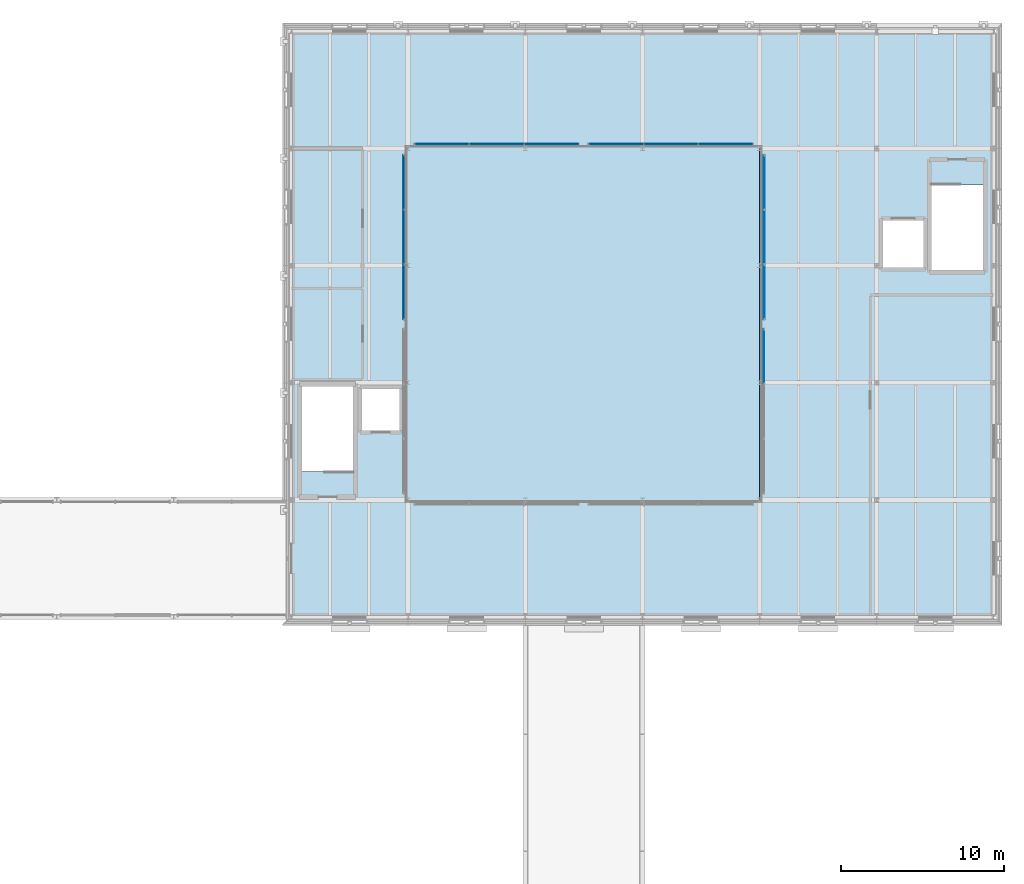
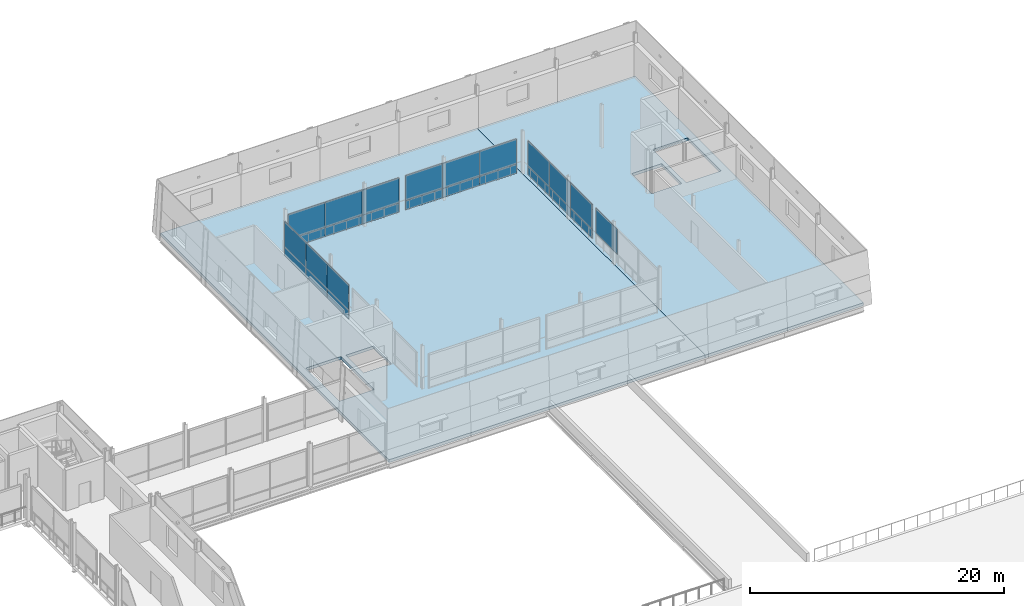
# One storey, part 59 of 115: 25 plates, 2 slabs, 5 elements without a shape of their own.
"""IFC4 building model written with IfcOpenShell, lengths in metres."""

from ifc_helpers import new_model, si_unit, direction, frame, origin, origin_2d, place, context, subcontext, project, spatial, polyline, rectangle, outline, extrude, material, layer, layer_set, type_object, element, aggregate, save


model = new_model("IFC4")

# Units and contexts
model_context = context("Model", 3, precision=1e-05, world=origin(), true_north=direction((0.0, 1.0)))
body_context = subcontext(model_context, "Body", "Model", "MODEL_VIEW")
ifc_project = project(units=[si_unit("LENGTHUNIT", "METRE"), si_unit("AREAUNIT", "SQUARE_METRE"), si_unit("VOLUMEUNIT", "CUBIC_METRE"), si_unit("PLANEANGLEUNIT", "RADIAN"), si_unit("MASSUNIT", "GRAM", prefix="KILO")], contexts=[model_context])

# Site, building, storey
site_placement = place(None, origin())
site = spatial("IfcSite", under=ifc_project, at=site_placement, CompositionType="ELEMENT")
building_placement = place(site_placement, origin())
building = spatial("IfcBuilding", under=site, at=building_placement, Name="Narikvali Park Central Library", CompositionType="ELEMENT")
storey_placement = place(building_placement, frame((0.0, 0.0, 10.199951171875)))
storey = spatial("IfcBuildingStorey", under=building, at=storey_placement, Name="L02", CompositionType="ELEMENT", Elevation=10.199951171875)

# Slabs
ifc_material_1 = material(Name="Concrete C35/45", Category="concrete")
ifc_layer_1 = layer(ifc_material_1, 0.280029296875, Name="Concrete C35/45")
ifc_layer_set_1 = layer_set([ifc_layer_1], Name="Concrete C35/45")
slab_type = type_object("IfcSlabType", Name="Composite Reading Floor Slab 280", PredefinedType="FLOOR", material=ifc_layer_set_1)
slab_1_placement = place(storey_placement, frame((0.0, 0.0, -0.280029296875)))
element("IfcSlab", 1, at=slab_1_placement, inside=storey, type_object=slab_type, Name="V3 L02 Structural Slab Panel 1", PredefinedType="FLOOR", context=body_context, shape_type="SweptSolid", body=[
    extrude(outline(polyline([(122.39990234375, 79.199951171875), (151.199951171875, 79.199951171875), (151.199951171875, 115.199951171875), (122.39990234375, 115.199951171875), (122.39990234375, 79.199951171875)]), holes=[polyline([(123.050048828125, 88.14990234375), (126.25, 88.14990234375), (126.25, 93.39990234375), (123.050048828125, 93.39990234375), (123.050048828125, 88.14990234375)]), polyline([(126.64990234375, 90.550048828125), (129.199951171875, 90.550048828125), (129.199951171875, 93.35009765625), (126.64990234375, 93.35009765625), (126.64990234375, 90.550048828125)])]), origin(), (0.0, 0.0, 1.0), 0.280029296875),
])
slab_2_placement = place(storey_placement, frame((0.0, 0.0, -0.280029296875)))
element("IfcSlab", 2, at=slab_2_placement, inside=storey, type_object=slab_type, Name="V3 L02 Structural Slab Panel 2", PredefinedType="FLOOR", context=body_context, shape_type="SweptSolid", body=[
    extrude(outline(polyline([(151.199951171875, 79.199951171875), (165.60009765625, 79.199951171875), (165.60009765625, 115.199951171875), (151.199951171875, 115.199951171875), (151.199951171875, 79.199951171875)]), holes=[polyline([(161.75, 100.5), (164.949951171875, 100.5), (164.949951171875, 105.75), (161.75, 105.75), (161.75, 100.5)]), polyline([(158.64990234375, 100.550048828125), (161.39990234375, 100.550048828125), (161.39990234375, 103.699951171875), (158.64990234375, 103.699951171875), (158.64990234375, 100.550048828125)])]), origin(), (0.0, 0.0, 1.0), 0.280029296875),
])

# Curtain wall, plates
ifc_material_2 = material(Name="Anodised Bronze Aluminium", Category="aluminium")
ifc_layer_2 = layer(ifc_material_2, 0.219970703125, Name="Anodised Bronze Aluminium")
ifc_layer_set_2 = layer_set([ifc_layer_2], Name="Anodised Bronze Aluminium")
curtain_wall_type = type_object("IfcCurtainWallType", Name="Atrium Tall Curtain Wall System", PredefinedType="NOTDEFINED", material=ifc_layer_set_2)
curtain_wall_1_placement = place(storey_placement, origin())
curtain_wall_1 = element("IfcCurtainWall", 3, at=curtain_wall_1_placement, inside=storey, type_object=curtain_wall_type, Name="Atrium Tall Curtain Wall System CW-INT-V3-L02-W2", PredefinedType="NOTDEFINED")
ifc_material_3 = material(Name="Heavy Acoustic Laminated Clerestory Glazing", Category="glass")
ifc_layer_3 = layer(ifc_material_3, 0.06396484375, Name="Heavy Acoustic Laminated Clerestory Glazing")
ifc_layer_set_3 = layer_set([ifc_layer_3], Name="Heavy Acoustic Laminated Clerestory Glazing")
plate_type_1 = type_object("IfcPlateType", Name="Curtain Wall Clerestory Laminated Acoustic Glass 64", PredefinedType="CURTAIN_PANEL", material=ifc_layer_set_3)
plate_1_placement = place(storey_placement, frame((129.320068359375, 99.183349609375, 0.905029296875), z_axis=(0.0, 0.0, 1.0), x_axis=(0.0, 1.0, 0.0)))
plate_1 = element("IfcPlate", 4, at=plate_1_placement, type_object=plate_type_1, Name="CW-INT-V3-L02-W2 Panel 00-1", PredefinedType="CURTAIN_PANEL", context=body_context, shape_type="SweptSolid", body=[
    extrude(rectangle(XDim=3.356689453125, YDim=0.06396484375, at=origin_2d()), origin(), (0.0, 0.0, 1.0), 2.39990234375),
])
plate_2_placement = place(storey_placement, frame((129.320068359375, 102.550048828125, 0.905029296875), z_axis=(0.0, 0.0, 1.0), x_axis=(0.0, 1.0, 0.0)))
plate_2 = element("IfcPlate", 5, at=plate_2_placement, type_object=plate_type_1, Name="CW-INT-V3-L02-W2 Panel 01-1", PredefinedType="CURTAIN_PANEL", context=body_context, shape_type="SweptSolid", body=[
    extrude(rectangle(XDim=3.356689453125, YDim=0.06396484375, at=origin_2d()), origin(), (0.0, 0.0, 1.0), 2.39990234375),
])
plate_3_placement = place(storey_placement, frame((129.320068359375, 105.916748046875, 0.905029296875), z_axis=(0.0, 0.0, 1.0), x_axis=(0.0, 1.0, 0.0)))
plate_3 = element("IfcPlate", 6, at=plate_3_placement, type_object=plate_type_1, Name="CW-INT-V3-L02-W2 Panel 02-1", PredefinedType="CURTAIN_PANEL", context=body_context, shape_type="SweptSolid", body=[
    extrude(rectangle(XDim=3.356689453125, YDim=0.06396484375, at=origin_2d()), origin(), (0.0, 0.0, 1.0), 2.39990234375),
])

curtain_wall_2_placement = place(storey_placement, origin())
curtain_wall_2 = element("IfcCurtainWall", 7, at=curtain_wall_2_placement, inside=storey, type_object=curtain_wall_type, Name="Atrium Tall Curtain Wall System CW-INT-V3-L02-N1", PredefinedType="NOTDEFINED")
plate_4_placement = place(storey_placement, frame((131.683349609375, 108.280029296875, 0.905029296875), z_axis=(0.0, 0.0, 1.0), x_axis=(1.0, 0.0, 0.0)))
plate_4 = element("IfcPlate", 8, at=plate_4_placement, type_object=plate_type_1, Name="CW-INT-V3-L02-N1 Panel 00-1", PredefinedType="CURTAIN_PANEL", context=body_context, shape_type="SweptSolid", body=[
    extrude(rectangle(XDim=3.356689453125, YDim=0.06396484375, at=origin_2d()), origin(), (0.0, 0.0, 1.0), 2.39990234375),
])
plate_5_placement = place(storey_placement, frame((135.050048828125, 108.280029296875, 0.905029296875), z_axis=(0.0, 0.0, 1.0), x_axis=(1.0, 0.0, 0.0)))
plate_5 = element("IfcPlate", 9, at=plate_5_placement, type_object=plate_type_1, Name="CW-INT-V3-L02-N1 Panel 01-1", PredefinedType="CURTAIN_PANEL", context=body_context, shape_type="SweptSolid", body=[
    extrude(rectangle(XDim=3.356689453125, YDim=0.06396484375, at=origin_2d()), origin(), (0.0, 0.0, 1.0), 2.39990234375),
])
plate_6_placement = place(storey_placement, frame((138.416748046875, 108.280029296875, 0.905029296875), z_axis=(0.0, 0.0, 1.0), x_axis=(1.0, 0.0, 0.0)))
plate_6 = element("IfcPlate", 10, at=plate_6_placement, type_object=plate_type_1, Name="CW-INT-V3-L02-N1 Panel 02-1", PredefinedType="CURTAIN_PANEL", context=body_context, shape_type="SweptSolid", body=[
    extrude(rectangle(XDim=3.356689453125, YDim=0.06396484375, at=origin_2d()), origin(), (0.0, 0.0, 1.0), 2.39990234375),
])

curtain_wall_3_placement = place(storey_placement, origin())
curtain_wall_3 = element("IfcCurtainWall", 11, at=curtain_wall_3_placement, inside=storey, type_object=curtain_wall_type, Name="Atrium Tall Curtain Wall System CW-INT-V3-L02-N2", PredefinedType="NOTDEFINED")
plate_7_placement = place(storey_placement, frame((142.38330078125, 108.280029296875, 0.03515625), z_axis=(0.0, 0.0, 1.0), x_axis=(1.0, 0.0, 0.0)))
plate_7 = element("IfcPlate", 12, at=plate_7_placement, type_object=plate_type_1, Name="CW-INT-V3-L02-N2 Panel 00-0", PredefinedType="CURTAIN_PANEL", context=body_context, shape_type="SweptSolid", body=[
    extrude(rectangle(XDim=3.356689453125, YDim=0.06396484375, at=origin_2d()), origin(), (0.0, 0.0, 1.0), 0.860107421875),
])
plate_8_placement = place(storey_placement, frame((145.75, 108.280029296875, 0.03515625), z_axis=(0.0, 0.0, 1.0), x_axis=(1.0, 0.0, 0.0)))
plate_8 = element("IfcPlate", 13, at=plate_8_placement, type_object=plate_type_1, Name="CW-INT-V3-L02-N2 Panel 01-0", PredefinedType="CURTAIN_PANEL", context=body_context, shape_type="SweptSolid", body=[
    extrude(rectangle(XDim=3.356689453125, YDim=0.06396484375, at=origin_2d()), origin(), (0.0, 0.0, 1.0), 0.860107421875),
])
plate_9_placement = place(storey_placement, frame((149.11669921875, 108.280029296875, 0.03515625), z_axis=(0.0, 0.0, 1.0), x_axis=(1.0, 0.0, 0.0)))
plate_9 = element("IfcPlate", 14, at=plate_9_placement, type_object=plate_type_1, Name="CW-INT-V3-L02-N2 Panel 02-0", PredefinedType="CURTAIN_PANEL", context=body_context, shape_type="SweptSolid", body=[
    extrude(rectangle(XDim=3.356689453125, YDim=0.06396484375, at=origin_2d()), origin(), (0.0, 0.0, 1.0), 0.860107421875),
])

# Curtain wall, plate
curtain_wall_4_placement = place(storey_placement, origin())
curtain_wall_4 = element("IfcCurtainWall", 15, at=curtain_wall_4_placement, inside=storey, type_object=curtain_wall_type, Name="Atrium Tall Curtain Wall System CW-INT-V3-L02-E1", PredefinedType="NOTDEFINED")
ifc_material_4 = material(Name="Double Low-E Tempered Vision Glazing", Category="glass")
ifc_layer_4 = layer(ifc_material_4, 0.035888671875, Name="Double Low-E Tempered Vision Glazing")
ifc_layer_set_4 = layer_set([ifc_layer_4], Name="Double Low-E Tempered Vision Glazing")
plate_type_2 = type_object("IfcPlateType", Name="Curtain Wall Double Low-E Vision Glazing 36", PredefinedType="CURTAIN_PANEL", material=ifc_layer_set_4)
plate_10_placement = place(storey_placement, frame((151.47998046875, 95.216796875, 0.905029296875), z_axis=(0.0, 0.0, 1.0), x_axis=(0.0, 1.0, 0.0)))
plate_10 = element("IfcPlate", 16, at=plate_10_placement, type_object=plate_type_2, Name="CW-INT-V3-L02-E1 Panel 02-1", PredefinedType="CURTAIN_PANEL", context=body_context, shape_type="SweptSolid", body=[
    extrude(rectangle(XDim=3.356689453125, YDim=0.035888671875, at=origin_2d()), origin(), (0.0, 0.0, 1.0), 2.39990234375),
])
aggregate(curtain_wall_4, [plate_10])

# Curtain wall, plates
curtain_wall_5_placement = place(storey_placement, origin())
curtain_wall_5 = element("IfcCurtainWall", 17, at=curtain_wall_5_placement, inside=storey, type_object=curtain_wall_type, Name="Atrium Tall Curtain Wall System CW-INT-V3-L02-E2", PredefinedType="NOTDEFINED")
plate_11_placement = place(storey_placement, frame((151.47998046875, 99.183349609375, 0.03515625), z_axis=(0.0, 0.0, 1.0), x_axis=(0.0, 1.0, 0.0)))
plate_11 = element("IfcPlate", 18, at=plate_11_placement, type_object=plate_type_2, Name="CW-INT-V3-L02-E2 Panel 00-0", PredefinedType="CURTAIN_PANEL", context=body_context, shape_type="SweptSolid", body=[
    extrude(rectangle(XDim=3.356689453125, YDim=0.035888671875, at=origin_2d()), origin(), (0.0, 0.0, 1.0), 0.860107421875),
])
plate_12_placement = place(storey_placement, frame((151.47998046875, 102.550048828125, 0.03515625), z_axis=(0.0, 0.0, 1.0), x_axis=(0.0, 1.0, 0.0)))
plate_12 = element("IfcPlate", 19, at=plate_12_placement, type_object=plate_type_2, Name="CW-INT-V3-L02-E2 Panel 01-0", PredefinedType="CURTAIN_PANEL", context=body_context, shape_type="SweptSolid", body=[
    extrude(rectangle(XDim=3.356689453125, YDim=0.035888671875, at=origin_2d()), origin(), (0.0, 0.0, 1.0), 0.860107421875),
])
plate_13_placement = place(storey_placement, frame((151.47998046875, 105.916748046875, 0.03515625), z_axis=(0.0, 0.0, 1.0), x_axis=(0.0, 1.0, 0.0)))
plate_13 = element("IfcPlate", 20, at=plate_13_placement, type_object=plate_type_2, Name="CW-INT-V3-L02-E2 Panel 02-0", PredefinedType="CURTAIN_PANEL", context=body_context, shape_type="SweptSolid", body=[
    extrude(rectangle(XDim=3.356689453125, YDim=0.035888671875, at=origin_2d()), origin(), (0.0, 0.0, 1.0), 0.860107421875),
])

# Plate
plate_14_placement = place(storey_placement, frame((142.38330078125, 108.280029296875, 0.905029296875), z_axis=(0.0, 0.0, 1.0), x_axis=(1.0, 0.0, 0.0)))
plate_14 = element("IfcPlate", 21, at=plate_14_placement, type_object=plate_type_2, Name="CW-INT-V3-L02-N2 Panel 00-1", PredefinedType="CURTAIN_PANEL", context=body_context, shape_type="SweptSolid", body=[
    extrude(rectangle(XDim=3.356689453125, YDim=0.035888671875, at=origin_2d()), origin(), (0.0, 0.0, 1.0), 2.39990234375),
])

plate_15_placement = place(storey_placement, frame((145.75, 108.280029296875, 0.905029296875), z_axis=(0.0, 0.0, 1.0), x_axis=(1.0, 0.0, 0.0)))
plate_15 = element("IfcPlate", 22, at=plate_15_placement, type_object=plate_type_2, Name="CW-INT-V3-L02-N2 Panel 01-1", PredefinedType="CURTAIN_PANEL", context=body_context, shape_type="SweptSolid", body=[
    extrude(rectangle(XDim=3.356689453125, YDim=0.035888671875, at=origin_2d()), origin(), (0.0, 0.0, 1.0), 2.39990234375),
])

plate_16_placement = place(storey_placement, frame((149.11669921875, 108.280029296875, 0.905029296875), z_axis=(0.0, 0.0, 1.0), x_axis=(1.0, 0.0, 0.0)))
plate_16 = element("IfcPlate", 23, at=plate_16_placement, type_object=plate_type_2, Name="CW-INT-V3-L02-N2 Panel 02-1", PredefinedType="CURTAIN_PANEL", context=body_context, shape_type="SweptSolid", body=[
    extrude(rectangle(XDim=3.356689453125, YDim=0.035888671875, at=origin_2d()), origin(), (0.0, 0.0, 1.0), 2.39990234375),
])

aggregate(curtain_wall_3, [plate_7, plate_14, plate_8, plate_15, plate_9, plate_16])

ifc_material_5 = material(Name="Triple Low-E Acoustic Laminated Glazing", Category="glass")
ifc_layer_5 = layer(ifc_material_5, 0.048095703125, Name="Triple Low-E Acoustic Laminated Glazing")
ifc_layer_set_5 = layer_set([ifc_layer_5], Name="Triple Low-E Acoustic Laminated Glazing")
plate_type_3 = type_object("IfcPlateType", Name="Curtain Wall Triple Solar-Acoustic Glazing 48", PredefinedType="CURTAIN_PANEL", material=ifc_layer_set_5)
plate_17_placement = place(storey_placement, frame((129.320068359375, 99.183349609375, 0.03515625), z_axis=(0.0, 0.0, 1.0), x_axis=(0.0, 1.0, 0.0)))
plate_17 = element("IfcPlate", 24, at=plate_17_placement, type_object=plate_type_3, Name="CW-INT-V3-L02-W2 Panel 00-0", PredefinedType="CURTAIN_PANEL", context=body_context, shape_type="SweptSolid", body=[
    extrude(rectangle(XDim=3.356689453125, YDim=0.048095703125, at=origin_2d()), origin(), (0.0, 0.0, 1.0), 0.860107421875),
])

plate_18_placement = place(storey_placement, frame((129.320068359375, 102.550048828125, 0.03515625), z_axis=(0.0, 0.0, 1.0), x_axis=(0.0, 1.0, 0.0)))
plate_18 = element("IfcPlate", 25, at=plate_18_placement, type_object=plate_type_3, Name="CW-INT-V3-L02-W2 Panel 01-0", PredefinedType="CURTAIN_PANEL", context=body_context, shape_type="SweptSolid", body=[
    extrude(rectangle(XDim=3.356689453125, YDim=0.048095703125, at=origin_2d()), origin(), (0.0, 0.0, 1.0), 0.860107421875),
])

plate_19_placement = place(storey_placement, frame((129.320068359375, 105.916748046875, 0.03515625), z_axis=(0.0, 0.0, 1.0), x_axis=(0.0, 1.0, 0.0)))
plate_19 = element("IfcPlate", 26, at=plate_19_placement, type_object=plate_type_3, Name="CW-INT-V3-L02-W2 Panel 02-0", PredefinedType="CURTAIN_PANEL", context=body_context, shape_type="SweptSolid", body=[
    extrude(rectangle(XDim=3.356689453125, YDim=0.048095703125, at=origin_2d()), origin(), (0.0, 0.0, 1.0), 0.860107421875),
])

aggregate(curtain_wall_1, [plate_17, plate_1, plate_18, plate_2, plate_19, plate_3])

plate_20_placement = place(storey_placement, frame((151.47998046875, 99.183349609375, 0.905029296875), z_axis=(0.0, 0.0, 1.0), x_axis=(0.0, 1.0, 0.0)))
plate_20 = element("IfcPlate", 27, at=plate_20_placement, type_object=plate_type_3, Name="CW-INT-V3-L02-E2 Panel 00-1", PredefinedType="CURTAIN_PANEL", context=body_context, shape_type="SweptSolid", body=[
    extrude(rectangle(XDim=3.356689453125, YDim=0.048095703125, at=origin_2d()), origin(), (0.0, 0.0, 1.0), 2.39990234375),
])

plate_21_placement = place(storey_placement, frame((151.47998046875, 102.550048828125, 0.905029296875), z_axis=(0.0, 0.0, 1.0), x_axis=(0.0, 1.0, 0.0)))
plate_21 = element("IfcPlate", 28, at=plate_21_placement, type_object=plate_type_3, Name="CW-INT-V3-L02-E2 Panel 01-1", PredefinedType="CURTAIN_PANEL", context=body_context, shape_type="SweptSolid", body=[
    extrude(rectangle(XDim=3.356689453125, YDim=0.048095703125, at=origin_2d()), origin(), (0.0, 0.0, 1.0), 2.39990234375),
])

plate_22_placement = place(storey_placement, frame((151.47998046875, 105.916748046875, 0.905029296875), z_axis=(0.0, 0.0, 1.0), x_axis=(0.0, 1.0, 0.0)))
plate_22 = element("IfcPlate", 29, at=plate_22_placement, type_object=plate_type_3, Name="CW-INT-V3-L02-E2 Panel 02-1", PredefinedType="CURTAIN_PANEL", context=body_context, shape_type="SweptSolid", body=[
    extrude(rectangle(XDim=3.356689453125, YDim=0.048095703125, at=origin_2d()), origin(), (0.0, 0.0, 1.0), 2.39990234375),
])

aggregate(curtain_wall_5, [plate_11, plate_20, plate_12, plate_21, plate_13, plate_22])

plate_23_placement = place(storey_placement, frame((131.683349609375, 108.280029296875, 0.03515625), z_axis=(0.0, 0.0, 1.0), x_axis=(1.0, 0.0, 0.0)))
plate_23 = element("IfcPlate", 30, at=plate_23_placement, type_object=plate_type_3, Name="CW-INT-V3-L02-N1 Panel 00-0", PredefinedType="CURTAIN_PANEL", context=body_context, shape_type="SweptSolid", body=[
    extrude(rectangle(XDim=3.356689453125, YDim=0.048095703125, at=origin_2d()), origin(), (0.0, 0.0, 1.0), 0.860107421875),
])

plate_24_placement = place(storey_placement, frame((135.050048828125, 108.280029296875, 0.03515625), z_axis=(0.0, 0.0, 1.0), x_axis=(1.0, 0.0, 0.0)))
plate_24 = element("IfcPlate", 31, at=plate_24_placement, type_object=plate_type_3, Name="CW-INT-V3-L02-N1 Panel 01-0", PredefinedType="CURTAIN_PANEL", context=body_context, shape_type="SweptSolid", body=[
    extrude(rectangle(XDim=3.356689453125, YDim=0.048095703125, at=origin_2d()), origin(), (0.0, 0.0, 1.0), 0.860107421875),
])

plate_25_placement = place(storey_placement, frame((138.416748046875, 108.280029296875, 0.03515625), z_axis=(0.0, 0.0, 1.0), x_axis=(1.0, 0.0, 0.0)))
plate_25 = element("IfcPlate", 32, at=plate_25_placement, type_object=plate_type_3, Name="CW-INT-V3-L02-N1 Panel 02-0", PredefinedType="CURTAIN_PANEL", context=body_context, shape_type="SweptSolid", body=[
    extrude(rectangle(XDim=3.356689453125, YDim=0.048095703125, at=origin_2d()), origin(), (0.0, 0.0, 1.0), 0.860107421875),
])

aggregate(curtain_wall_2, [plate_23, plate_4, plate_24, plate_5, plate_25, plate_6])

save(model, "model.ifc")
